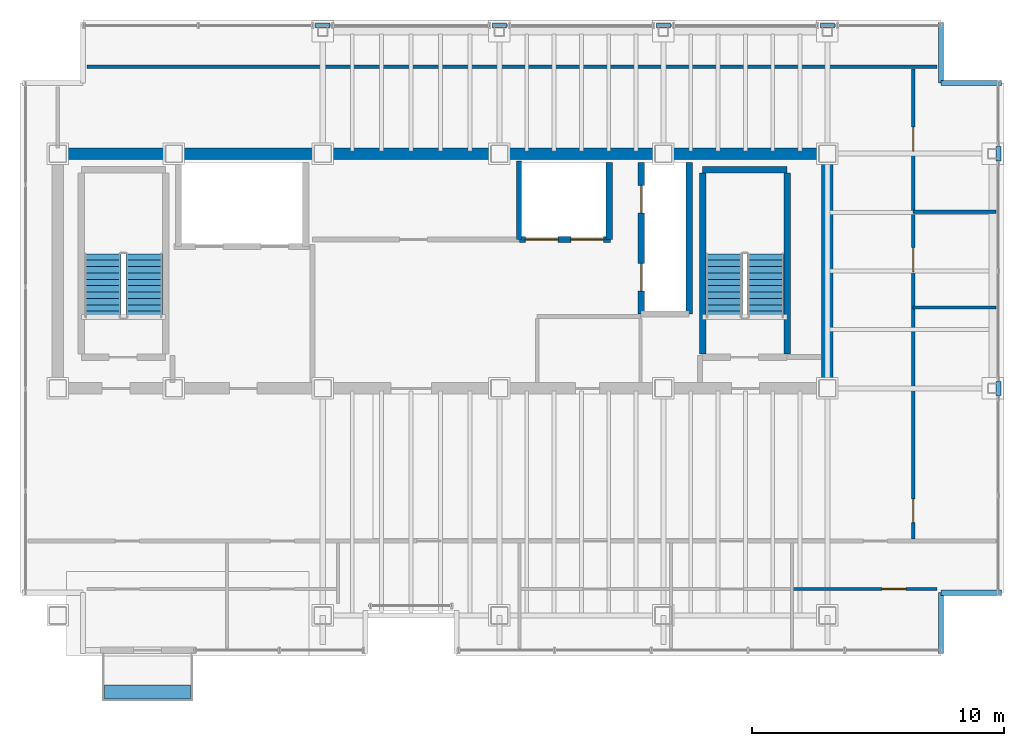
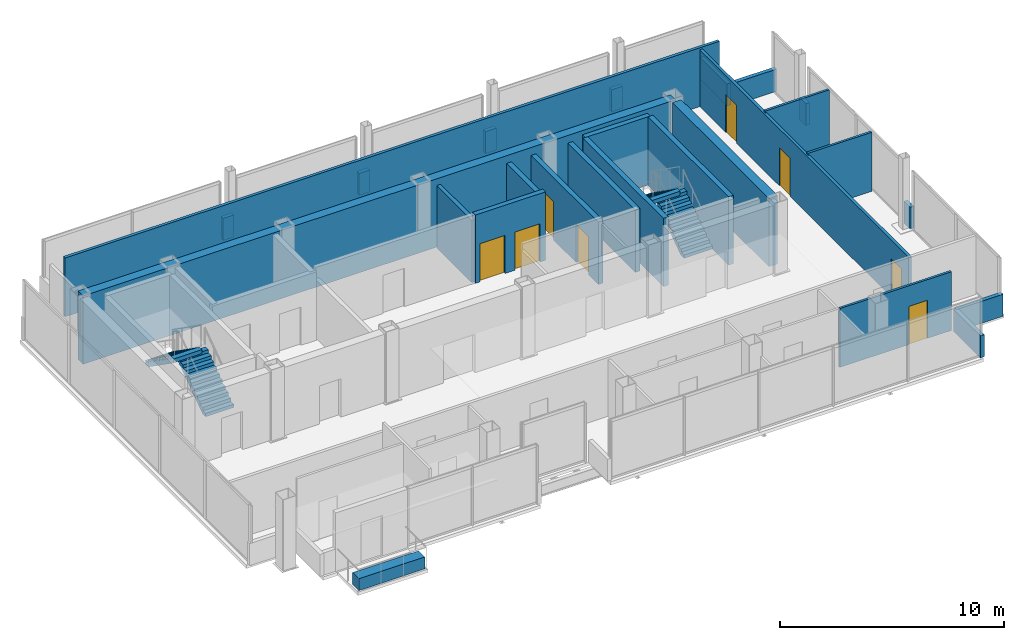
# One storey, part 16 of 17: 25 walls, 8 doors, 4 stair flights, 1 discrete accessory, 8 openings, 2 elements without a shape of their own.
"""IFC4 building model written with IfcOpenShell, lengths in metres."""

from ifc_helpers import new_model, si_unit, direction, frame, frame_2d, origin, origin_2d, place, context, subcontext, project, spatial, polyline, rectangle, outline, extrude, material, layer, layer_set, type_object, element, fill, aggregate, save


model = new_model("IFC4")

# Units and contexts
model_context = context("Model", 3, precision=1e-05, world=origin(), true_north=direction((0.0, 1.0)))
body_context = subcontext(model_context, "Body", "Model", "MODEL_VIEW")
ifc_project = project(units=[si_unit("LENGTHUNIT", "METRE"), si_unit("AREAUNIT", "SQUARE_METRE"), si_unit("VOLUMEUNIT", "CUBIC_METRE"), si_unit("PLANEANGLEUNIT", "RADIAN"), si_unit("MASSUNIT", "GRAM", prefix="KILO")], contexts=[model_context])

# Site, building, storey
site_placement = place(None, origin())
site = spatial("IfcSite", under=ifc_project, at=site_placement, CompositionType="ELEMENT")
building_placement = place(site_placement, origin())
building = spatial("IfcBuilding", under=site, at=building_placement, Name="Noeulbin Bourse Tower", CompositionType="ELEMENT")
storey_placement = place(building_placement, frame((0.0, 0.0, 296.89990234375)))
storey = spatial("IfcBuildingStorey", under=building, at=storey_placement, Name="L74", CompositionType="ELEMENT", Elevation=296.89990234375)

# Walls
ifc_material_1 = material(Name="Concrete C50/60", Category="concrete")
ifc_layer_1 = layer(ifc_material_1, 0.449951171875)
ifc_layer_set_1 = layer_set([ifc_layer_1], Name="Concrete C50/60")
wall_type_1 = type_object("IfcWallType", Name="WAL-CORE-450", PredefinedType="SHEAR", material=ifc_layer_set_1)
wall_1_placement = place(storey_placement, frame((13.5, 38.300048828125, 0.0), z_axis=(0.0, 0.0, 1.0), x_axis=(1.0, 0.0, 0.0)))
element("IfcWall", 1, at=wall_1_placement, inside=storey, type_object=wall_type_1, Name="Rear Core North Shear Wall L74", PredefinedType="SHEAR", context=body_context, shape_type="SweptSolid", body=[
    extrude(rectangle(XDim=30.5, YDim=0.449951171875, at=frame_2d((15.25, 0.0))), origin(), (0.0, 0.0, 1.0), 3.72021484375),
])
wall_2_placement = place(storey_placement, frame((44.0, 29.35009765625, 0.0), z_axis=(0.0, 0.0, 1.0), x_axis=(0.0, 1.0, 0.0)))
element("IfcWall", 2, at=wall_2_placement, inside=storey, type_object=wall_type_1, Name="Rear Core East Shear Wall L74", PredefinedType="SHEAR", context=body_context, shape_type="SweptSolid", body=[
    extrude(rectangle(XDim=8.599853515625, YDim=0.449951171875, at=frame_2d((4.2998046875, 0.0))), origin(), (0.0, 0.0, 1.0), 3.72021484375),
])
ifc_material_2 = material(Name="Concrete C40/50", Category="concrete")
ifc_layer_2 = layer(ifc_material_2, 0.199951171875)
ifc_layer_set_2 = layer_set([ifc_layer_2], Name="Concrete C40/50")
wall_type_2 = type_object("IfcWallType", Name="WAL-PAR-200", PredefinedType="PARAPET", material=ifc_layer_set_2)
for number, where, z_axis, x_axis, name in (
    (3, (23.719970703125, 43.3798828125, 0.0), (0.0, 0.0, 1.0), (1.0, 0.0, 0.0), "Perimeter Pier Spandrel Parapet L74-N1"),
    (4, (30.719970703125, 43.3798828125, 0.0), (0.0, 0.0, 1.0), (1.0, 0.0, 0.0), "Perimeter Pier Spandrel Parapet L74-N2"),
    (5, (37.219970703125, 43.3798828125, 0.0), (0.0, 0.0, 1.0), (1.0, 0.0, 0.0), "Perimeter Pier Spandrel Parapet L74-N3"),
    (6, (43.719970703125, 43.3798828125, 0.0), (0.0, 0.0, 1.0), (1.0, 0.0, 0.0), "Perimeter Pier Spandrel Parapet L74-N4"),
    (7, (50.780029296875, 28.719970703125, 0.0), (0.0, 0.0, 1.0), (0.0, 1.0, 0.0), "Perimeter Pier Spandrel Parapet L74-E5"),
    (8, (50.780029296875, 38.02001953125, 0.0), (0.0, 0.0, 1.0), (0.0, 1.0, 0.0), "Perimeter Pier Spandrel Parapet L74-E6"),
):
    element("IfcWall", number, at=place(storey_placement, frame(where, z_axis=z_axis, x_axis=x_axis)), inside=storey, type_object=wall_type_2, Name=name, PredefinedType="PARAPET", context=body_context, shape_type="SweptSolid", body=[
        extrude(rectangle(XDim=0.56005859375, YDim=0.199951171875, at=frame_2d((0.280029296875, 0.0))), origin(), (0.0, 0.0, 1.0), 1.2001953125),
    ])
for number, where, z_axis, x_axis, name in (
    (9, (48.5, 18.5, 0.0), (0.0, 0.0, 1.0), (0.0, 1.0, 0.0), "Corner Notch Parapet L74-SE1"),
    (10, (48.5, 20.89990234375, 0.0), (0.0, 0.0, 1.0), (1.0, 0.0, 0.0), "Corner Notch Parapet L74-SE2"),
    (11, (48.5, 43.5, 0.0), (0.0, 0.0, 1.0), (0.0, -1.0, 0.0), "Corner Notch Parapet L74-NE1"),
    (12, (48.5, 41.10009765625, 0.0), (0.0, 0.0, 1.0), (1.0, 0.0, 0.0), "Corner Notch Parapet L74-NE2"),
):
    element("IfcWall", number, at=place(storey_placement, frame(where, z_axis=z_axis, x_axis=x_axis)), inside=storey, type_object=wall_type_2, Name=name, PredefinedType="PARAPET", context=body_context, shape_type="SweptSolid", body=[
        extrude(rectangle(XDim=2.39990234375, YDim=0.199951171875, at=frame_2d((1.199951171875, 0.0))), origin(), (0.0, 0.0, 1.0), 1.2001953125),
    ])

# Wall, opening, door
ifc_material_3 = material(Name="Steel Stud Gypsum Partition", Category="steel")
ifc_layer_3 = layer(ifc_material_3, 0.1201171875)
ifc_layer_set_3 = layer_set([ifc_layer_3], Name="Steel Stud Gypsum Partition")
wall_type_3 = type_object("IfcWallType", Name="WAL-PRT-120", PredefinedType="PARTITIONING", material=ifc_layer_set_3)
wall_3_placement = place(storey_placement, frame((42.60009765625, 21.050048828125, 0.0), z_axis=(0.0, 0.0, 1.0), x_axis=(1.0, 0.0, 0.0)))
wall_3 = element("IfcWall", 13, at=wall_3_placement, inside=storey, type_object=wall_type_3, Name="Interior Partition Wall L74-09", PredefinedType="PARTITIONING", context=body_context, shape_type="SweptSolid", body=[
    extrude(rectangle(XDim=5.739990234375, YDim=0.1201171875, at=frame_2d((2.8701171875, 0.0))), origin(), (0.0, 0.0, 1.0), 3.2001953125),
])
opening_1_placement = place(wall_3_placement, frame((3.570068359375, 0.0, 0.0)))
opening_1 = element("IfcOpeningElement", 14, at=opening_1_placement, cuts=wall_3, Name="Opening ID-09", PredefinedType="OPENING", context=body_context, shape_type="SweptSolid", body=[
    extrude(rectangle(XDim=0.949951171875, YDim=2.080078125, at=frame_2d((0.47509765625, 1.0400390625))), frame((0.0, 0.070068359375, 0.0), z_axis=(0.0, -1.0, 0.0), x_axis=(1.0, 0.0, 0.0)), (0.0, 0.0, 1.0), 0.14013671875),
])
ifc_material_4 = material(Name="Acoustic Solid-Core Timber", Category="wood")
door_type_1 = type_object("IfcDoorType", Name="DR-SINGLE-950", OperationType="SINGLE_SWING_LEFT", PredefinedType="DOOR", material=ifc_material_4)
door_1_placement = place(opening_1_placement, origin())
door_1 = element("IfcDoor", 15, at=door_1_placement, inside=storey, type_object=door_type_1, Name="Interior Door L74-16", OperationType="SINGLE_SWING_LEFT", OverallHeight=2.080078125, OverallWidth=0.949951171875, PredefinedType="DOOR", context=body_context, shape_type="SweptSolid", body=[
    extrude(rectangle(XDim=0.949951171875, YDim=2.080078125, at=frame_2d((0.47509765625, 1.0400390625))), frame((0.0, 0.02490234375, 0.0), z_axis=(0.0, -1.0, 0.0), x_axis=(1.0, 0.0, 0.0)), (0.0, 0.0, 1.0), 0.050048828125),
])
fill(opening_1, door_1)

# Walls
for number, where, z_axis, x_axis, name in (
    (16, (47.39990234375, 32.199951171875, 0.0), (0.0, 0.0, 1.0), (1.0, 0.0, 0.0), "Interior Partition Wall L74-10"),
    (17, (47.39990234375, 36.0, 0.0), (0.0, 0.0, 1.0), (1.0, 0.0, 0.0), "Interior Partition Wall L74-11"),
):
    element("IfcWall", number, at=place(storey_placement, frame(where, z_axis=z_axis, x_axis=x_axis)), inside=storey, type_object=wall_type_3, Name=name, PredefinedType="PARTITIONING", context=body_context, shape_type="SweptSolid", body=[
        extrude(rectangle(XDim=3.2900390625, YDim=0.1201171875, at=frame_2d((1.64501953125, 0.0))), origin(), (0.0, 0.0, 1.0), 3.212158203125),
    ])
ifc_material_5 = material(Name="Steel Stud Acoustic Gypsum Board", Category="steel")
ifc_layer_4 = layer(ifc_material_5, 0.14990234375)
ifc_layer_set_4 = layer_set([ifc_layer_4], Name="Steel Stud Acoustic Gypsum Board")
wall_type_4 = type_object("IfcWallType", Name="WAL-PRT-150", PredefinedType="PARTITIONING", material=ifc_layer_set_4)
wall_4_placement = place(storey_placement, frame((14.659912109375, 41.75, 0.0), z_axis=(0.0, 0.0, 1.0), x_axis=(1.0, 0.0, 0.0)))
element("IfcWall", 18, at=wall_4_placement, inside=storey, type_object=wall_type_4, Name="Interior Partition Wall L74-12", PredefinedType="PARTITIONING", context=body_context, shape_type="SweptSolid", body=[
    extrude(rectangle(XDim=33.68017578125, YDim=0.14990234375, at=frame_2d((16.840087890625, 0.0))), origin(), (0.0, 0.0, 1.0), 3.2001953125),
])

# Wall, openings, doors
wall_5_placement = place(storey_placement, frame((47.39990234375, 23.034912109375, 0.0), z_axis=(0.0, 0.0, 1.0), x_axis=(0.0, 1.0, 0.0)))
wall_5 = element("IfcWall", 19, at=wall_5_placement, inside=storey, type_object=wall_type_4, Name="Interior Partition Wall L74-18", PredefinedType="PARTITIONING", context=body_context, shape_type="SweptSolid", body=[
    extrude(rectangle(XDim=18.630126953125, YDim=0.14990234375, at=frame_2d((9.31494140625, 0.0))), origin(), (0.0, 0.0, 1.0), 3.10009765625),
])
opening_2_placement = place(wall_5_placement, frame((0.639892578125, 0.0, 0.0)))
opening_2 = element("IfcOpeningElement", 20, at=opening_2_placement, cuts=wall_5, Name="Opening ID-09", PredefinedType="OPENING", context=body_context, shape_type="SweptSolid", body=[
    extrude(rectangle(XDim=0.949951171875, YDim=2.080078125, at=frame_2d((0.47509765625, 1.0400390625))), frame((0.0, 0.0849609375, 0.0), z_axis=(0.0, -1.0, 0.0), x_axis=(1.0, 0.0, 0.0)), (0.0, 0.0, 1.0), 0.169921875),
])
opening_3_placement = place(wall_5_placement, frame((10.590087890625, 0.0, 0.0)))
opening_3 = element("IfcOpeningElement", 21, at=opening_3_placement, cuts=wall_5, Name="Opening ID-09", PredefinedType="OPENING", context=body_context, shape_type="SweptSolid", body=[
    extrude(rectangle(XDim=0.949951171875, YDim=2.080078125, at=frame_2d((0.47509765625, 1.0400390625))), frame((0.0, 0.0849609375, 0.0), z_axis=(0.0, -1.0, 0.0), x_axis=(1.0, 0.0, 0.0)), (0.0, 0.0, 1.0), 0.169921875),
])
opening_4_placement = place(wall_5_placement, frame((15.364990234375, 0.0, 0.0)))
opening_4 = element("IfcOpeningElement", 22, at=opening_4_placement, cuts=wall_5, Name="Opening ID-09", PredefinedType="OPENING", context=body_context, shape_type="SweptSolid", body=[
    extrude(rectangle(XDim=0.949951171875, YDim=2.080078125, at=frame_2d((0.47509765625, 1.0400390625))), frame((0.0, 0.0849609375, 0.0), z_axis=(0.0, -1.0, 0.0), x_axis=(1.0, 0.0, 0.0)), (0.0, 0.0, 1.0), 0.169921875),
])
door_2_placement = place(opening_2_placement, origin())
door_2 = element("IfcDoor", 23, at=door_2_placement, inside=storey, type_object=door_type_1, Name="Interior Door L74-18", OperationType="SINGLE_SWING_LEFT", OverallHeight=2.080078125, OverallWidth=0.949951171875, PredefinedType="DOOR", context=body_context, shape_type="SweptSolid", body=[
    extrude(rectangle(XDim=0.949951171875, YDim=2.080078125, at=frame_2d((0.47509765625, 1.0400390625))), frame((0.0, 0.02490234375, 0.0), z_axis=(0.0, -1.0, 0.0), x_axis=(1.0, 0.0, 0.0)), (0.0, 0.0, 1.0), 0.050048828125),
])
fill(opening_2, door_2)
door_3_placement = place(opening_3_placement, origin())
door_3 = element("IfcDoor", 24, at=door_3_placement, inside=storey, type_object=door_type_1, Name="Interior Door L74-19", OperationType="SINGLE_SWING_RIGHT", OverallHeight=2.080078125, OverallWidth=0.949951171875, PredefinedType="DOOR", context=body_context, shape_type="SweptSolid", body=[
    extrude(rectangle(XDim=0.949951171875, YDim=2.080078125, at=frame_2d((0.47509765625, 1.0400390625))), frame((0.0, 0.02490234375, 0.0), z_axis=(0.0, -1.0, 0.0), x_axis=(1.0, 0.0, 0.0)), (0.0, 0.0, 1.0), 0.050048828125),
])
fill(opening_3, door_3)
door_4_placement = place(opening_4_placement, origin())
door_4 = element("IfcDoor", 25, at=door_4_placement, inside=storey, type_object=door_type_1, Name="Interior Door L74-20", OperationType="SINGLE_SWING_LEFT", OverallHeight=2.080078125, OverallWidth=0.949951171875, PredefinedType="DOOR", context=body_context, shape_type="SweptSolid", body=[
    extrude(rectangle(XDim=0.949951171875, YDim=2.080078125, at=frame_2d((0.47509765625, 1.0400390625))), frame((0.0, 0.02490234375, 0.0), z_axis=(0.0, -1.0, 0.0), x_axis=(1.0, 0.0, 0.0)), (0.0, 0.0, 1.0), 0.050048828125),
])
fill(opening_4, door_4)

# Walls
ifc_layer_5 = layer(ifc_material_2, 0.25)
ifc_layer_set_5 = layer_set([ifc_layer_5], Name="Concrete C40/50")
wall_type_5 = type_object("IfcWallType", Name="WAL-SHFT-250", PredefinedType="STANDARD", material=ifc_layer_set_5)
wall_6_placement = place(storey_placement, frame((39.06005859375, 37.6689453125, 0.0), z_axis=(0.0, 0.0, 1.0), x_axis=(1.0, 0.0, 0.0)))
element("IfcWall", 26, at=wall_6_placement, inside=storey, type_object=wall_type_5, Name="Stair ST-2 North Shaft Wall L74", PredefinedType="STANDARD", context=body_context, shape_type="SweptSolid", body=[
    extrude(rectangle(XDim=3.33984375, YDim=0.25, at=frame_2d((1.669921875, 0.0))), origin(), (0.0, 0.0, 1.0), 3.72021484375),
])
for number, where, z_axis, x_axis, name in (
    (27, (39.054931640625, 30.360107421875, 0.0), (0.0, 0.0, 1.0), (0.0, 1.0, 0.0), "Stair ST-2 West Shaft Wall L74"),
    (28, (42.405029296875, 30.360107421875, 0.0), (0.0, 0.0, 1.0), (0.0, 1.0, 0.0), "Stair ST-2 East Shaft Wall L74"),
):
    element("IfcWall", number, at=place(storey_placement, frame(where, z_axis=z_axis, x_axis=x_axis)), inside=storey, type_object=wall_type_5, Name=name, PredefinedType="STANDARD", context=body_context, shape_type="SweptSolid", body=[
        extrude(rectangle(XDim=7.183837890625, YDim=0.25, at=frame_2d((3.591796875, 0.0))), origin(), (0.0, 0.0, 1.0), 3.72021484375),
    ])

# Wall, openings, doors
wall_7_placement = place(storey_placement, frame((36.6201171875, 31.949951171875, 0.0), z_axis=(0.0, 0.0, 1.0), x_axis=(0.0, 1.0, 0.0)))
wall_7 = element("IfcWall", 29, at=wall_7_placement, inside=storey, type_object=wall_type_5, Name="Service Lift Shaft Wall L74", PredefinedType="STANDARD", context=body_context, shape_type="SweptSolid", body=[
    extrude(rectangle(XDim=6.0, YDim=0.25, at=frame_2d((3.0, 0.0))), origin(), (0.0, 0.0, 1.0), 3.400146484375),
])
opening_5_placement = place(wall_7_placement, frame((0.89990234375, 0.0, 0.0)))
opening_5 = element("IfcOpeningElement", 30, at=opening_5_placement, cuts=wall_7, Name="Opening LD-11", PredefinedType="OPENING", context=body_context, shape_type="SweptSolid", body=[
    extrude(rectangle(XDim=1.10009765625, YDim=2.080078125, at=frame_2d((0.550048828125, 1.0400390625))), frame((0.0, 0.135009765625, 0.0), z_axis=(0.0, -1.0, 0.0), x_axis=(1.0, 0.0, 0.0)), (0.0, 0.0, 1.0), 0.27001953125),
])
opening_6_placement = place(wall_7_placement, frame((4.0, 0.0, 0.0)))
opening_6 = element("IfcOpeningElement", 31, at=opening_6_placement, cuts=wall_7, Name="Opening LD-11", PredefinedType="OPENING", context=body_context, shape_type="SweptSolid", body=[
    extrude(rectangle(XDim=1.10009765625, YDim=2.080078125, at=frame_2d((0.550048828125, 1.0400390625))), frame((0.0, 0.135009765625, 0.0), z_axis=(0.0, -1.0, 0.0), x_axis=(1.0, 0.0, 0.0)), (0.0, 0.0, 1.0), 0.27001953125),
])
ifc_material_6 = material(Name="Brushed Stainless Steel 316", Category="steel")
door_type_2 = type_object("IfcDoorType", Name="DR-LIFT-1100", OperationType="SLIDING_TO_LEFT", PredefinedType="DOOR", material=ifc_material_6)
door_5_placement = place(opening_5_placement, origin())
door_5 = element("IfcDoor", 32, at=door_5_placement, inside=storey, type_object=door_type_2, Name="Lift Landing Door LD-EL-01-L74", OperationType="SLIDING_TO_LEFT", OverallHeight=2.080078125, OverallWidth=1.10009765625, PredefinedType="DOOR", context=body_context, shape_type="SweptSolid", body=[
    extrude(rectangle(XDim=1.10009765625, YDim=2.080078125, at=frame_2d((0.550048828125, 1.0400390625))), frame((0.0, 0.02490234375, 0.0), z_axis=(0.0, -1.0, 0.0), x_axis=(1.0, 0.0, 0.0)), (0.0, 0.0, 1.0), 0.050048828125),
])
fill(opening_5, door_5)
door_6_placement = place(opening_6_placement, origin())
door_6 = element("IfcDoor", 33, at=door_6_placement, inside=storey, type_object=door_type_2, Name="Lift Landing Door LD-SV-01-L74", OperationType="SLIDING_TO_LEFT", OverallHeight=2.080078125, OverallWidth=1.10009765625, PredefinedType="DOOR", context=body_context, shape_type="SweptSolid", body=[
    extrude(rectangle(XDim=1.10009765625, YDim=2.080078125, at=frame_2d((0.550048828125, 1.0400390625))), frame((0.0, 0.02490234375, 0.0), z_axis=(0.0, -1.0, 0.0), x_axis=(1.0, 0.0, 0.0)), (0.0, 0.0, 1.0), 0.050048828125),
])
fill(opening_6, door_6)

# Walls
wall_8_placement = place(storey_placement, frame((38.52001953125, 31.949951171875, 0.0), z_axis=(0.0, 0.0, 1.0), x_axis=(0.0, 1.0, 0.0)))
element("IfcWall", 34, at=wall_8_placement, inside=storey, type_object=wall_type_5, Name="Service Lift East Shaft Wall L74", PredefinedType="STANDARD", context=body_context, shape_type="SweptSolid", body=[
    extrude(rectangle(XDim=6.0, YDim=0.25, at=frame_2d((3.0, 0.0))), origin(), (0.0, 0.0, 1.0), 3.400146484375),
])
wall_9_placement = place(storey_placement, frame((35.360107421875, 34.89990234375, 0.0), z_axis=(0.0, 0.0, 1.0), x_axis=(0.0, 1.0, 0.0)))
element("IfcWall", 35, at=wall_9_placement, inside=storey, type_object=wall_type_5, Name="High-Rise Lift East Shaft Wall L74", PredefinedType="STANDARD", context=body_context, shape_type="SweptSolid", body=[
    extrude(rectangle(XDim=3.050048828125, YDim=0.25, at=frame_2d((1.52490234375, 0.0))), origin(), (0.0, 0.0, 1.0), 3.400146484375),
])

# Wall, openings, doors
wall_10_placement = place(storey_placement, frame((31.800048828125, 34.89990234375, 0.0), z_axis=(0.0, 0.0, 1.0), x_axis=(1.0, 0.0, 0.0)))
wall_10 = element("IfcWall", 36, at=wall_10_placement, inside=storey, type_object=wall_type_5, Name="High-Rise Lift Bank Front L74", PredefinedType="STANDARD", context=body_context, shape_type="SweptSolid", body=[
    extrude(rectangle(XDim=3.599853515625, YDim=0.25, at=frame_2d((1.7998046875, 0.0))), origin(), (0.0, 0.0, 1.0), 3.72021484375),
])
opening_7_placement = place(wall_10_placement, frame((0.22998046875, 0.0, 0.0)))
opening_7 = element("IfcOpeningElement", 37, at=opening_7_placement, cuts=wall_10, Name="Opening LD-13", PredefinedType="OPENING", context=body_context, shape_type="SweptSolid", body=[
    extrude(rectangle(XDim=1.300048828125, YDim=2.080078125, at=frame_2d((0.64990234375, 1.0400390625))), frame((0.0, 0.135009765625, 0.0), z_axis=(0.0, -1.0, 0.0), x_axis=(1.0, 0.0, 0.0)), (0.0, 0.0, 1.0), 0.27001953125),
])
opening_8_placement = place(wall_10_placement, frame((2.030029296875, 0.0, 0.0)))
opening_8 = element("IfcOpeningElement", 38, at=opening_8_placement, cuts=wall_10, Name="Opening LD-13", PredefinedType="OPENING", context=body_context, shape_type="SweptSolid", body=[
    extrude(rectangle(XDim=1.300048828125, YDim=2.080078125, at=frame_2d((0.64990234375, 1.0400390625))), frame((0.0, 0.135009765625, 0.0), z_axis=(0.0, -1.0, 0.0), x_axis=(1.0, 0.0, 0.0)), (0.0, 0.0, 1.0), 0.27001953125),
])
door_type_3 = type_object("IfcDoorType", Name="DR-LIFT-1300", OperationType="DOUBLE_DOOR_SLIDING", PredefinedType="DOOR", material=ifc_material_6)
door_7_placement = place(opening_7_placement, origin())
door_7 = element("IfcDoor", 39, at=door_7_placement, inside=storey, type_object=door_type_3, Name="Lift Landing Door LD-PL-H1-L74", OperationType="DOUBLE_DOOR_SLIDING", OverallHeight=2.080078125, OverallWidth=1.300048828125, PredefinedType="DOOR", context=body_context, shape_type="SweptSolid", body=[
    extrude(rectangle(XDim=1.300048828125, YDim=2.080078125, at=frame_2d((0.64990234375, 1.0400390625))), frame((0.0, 0.02490234375, 0.0), z_axis=(0.0, -1.0, 0.0), x_axis=(1.0, 0.0, 0.0)), (0.0, 0.0, 1.0), 0.050048828125),
])
fill(opening_7, door_7)
door_8_placement = place(opening_8_placement, origin())
door_8 = element("IfcDoor", 40, at=door_8_placement, inside=storey, type_object=door_type_3, Name="Lift Landing Door LD-PL-H2-L74", OperationType="DOUBLE_DOOR_SLIDING", OverallHeight=2.080078125, OverallWidth=1.300048828125, PredefinedType="DOOR", context=body_context, shape_type="SweptSolid", body=[
    extrude(rectangle(XDim=1.300048828125, YDim=2.080078125, at=frame_2d((0.64990234375, 1.0400390625))), frame((0.0, 0.02490234375, 0.0), z_axis=(0.0, -1.0, 0.0), x_axis=(1.0, 0.0, 0.0)), (0.0, 0.0, 1.0), 0.050048828125),
])
fill(opening_8, door_8)

# Wall
wall_11_placement = place(storey_placement, frame((31.780029296875, 34.89990234375, 0.0), z_axis=(0.0, 0.0, 1.0), x_axis=(0.0, 1.0, 0.0)))
element("IfcWall", 41, at=wall_11_placement, inside=storey, type_object=wall_type_5, Name="Hoistway Side Shaft Wall L74-PLHW", PredefinedType="STANDARD", context=body_context, shape_type="SweptSolid", body=[
    extrude(rectangle(XDim=3.1201171875, YDim=0.199951171875, at=frame_2d((1.56005859375, 0.0))), origin(), (0.0, 0.0, 1.0), 3.400146484375),
])

# Stair, stair flights
stair_type = type_object("IfcStairType", Name="STR-CORE-1560", PredefinedType="HALF_TURN_STAIR", material=ifc_material_2)
stair_1_placement = place(storey_placement, origin())
stair_1 = element("IfcStair", 42, at=stair_1_placement, inside=storey, type_object=stair_type, Name="L74 ST-1", PredefinedType="HALF_TURN_STAIR")
stair_flight_type = type_object("IfcStairFlightType", Name="SFL-CORE-1560", PredefinedType="STRAIGHT", material=ifc_material_2)
stair_flight_1_placement = place(storey_placement, frame((16.925048828125, 31.81005859375, 0.0), z_axis=(0.0, 0.0, 1.0), x_axis=(0.0, 1.0, 0.0)))
stair_flight_1 = element("IfcStairFlight", 43, at=stair_flight_1_placement, type_object=stair_flight_type, Name="ST-1 flight 1", NumberOfRisers=11, NumberOfTreads=10, PredefinedType="STRAIGHT", RiserHeight=0.177272727, TreadLength=0.252, context=body_context, shape_type="SweptSolid", body=[
    extrude(outline(polyline([(0.0, 0.0), (0.0, 0.17724609375), (0.251953125, 0.17724609375), (0.251953125, 0.3544921875), (0.50390625, 0.3544921875), (0.50390625, 0.53173828125), (0.756103515625, 0.53173828125), (0.756103515625, 0.708984375), (1.008056640625, 0.708984375), (1.008056640625, 0.886474609375), (1.260009765625, 0.886474609375), (1.260009765625, 1.063720703125), (1.511962890625, 1.063720703125), (1.511962890625, 1.240966796875), (1.763916015625, 1.240966796875), (1.763916015625, 1.418212890625), (2.01611328125, 1.418212890625), (2.01611328125, 1.595458984375), (2.26806640625, 1.595458984375), (2.26806640625, 1.772705078125), (2.52001953125, 1.772705078125), (2.52001953125, 1.949951171875), (2.52001953125, 1.552734375), (0.312744140625, 0.0), (0.0, 0.0)])), frame((0.0, 0.72509765625, 0.0), z_axis=(0.0, -1.0, 0.0), x_axis=(1.0, 0.0, 0.0)), (0.0, 0.0, 1.0), 1.449951171875),
])
stair_flight_2_placement = place(storey_placement, frame((15.27490234375, 34.330078125, 1.9501953125), z_axis=(0.0, 0.0, 1.0), x_axis=(0.0, -1.0, 0.0)))
stair_flight_2 = element("IfcStairFlight", 44, at=stair_flight_2_placement, type_object=stair_flight_type, Name="ST-1 flight 2", NumberOfRisers=11, NumberOfTreads=10, PredefinedType="STRAIGHT", RiserHeight=0.177272727, TreadLength=0.252, context=body_context, shape_type="SweptSolid", body=[
    extrude(outline(polyline([(0.0, 0.0), (0.0, 0.17724609375), (0.251953125, 0.17724609375), (0.251953125, 0.3544921875), (0.50390625, 0.3544921875), (0.50390625, 0.53173828125), (0.756103515625, 0.53173828125), (0.756103515625, 0.708984375), (1.008056640625, 0.708984375), (1.008056640625, 0.886474609375), (1.260009765625, 0.886474609375), (1.260009765625, 1.063720703125), (1.511962890625, 1.063720703125), (1.511962890625, 1.240966796875), (1.763916015625, 1.240966796875), (1.763916015625, 1.418212890625), (2.01611328125, 1.418212890625), (2.01611328125, 1.595458984375), (2.26806640625, 1.595458984375), (2.26806640625, 1.772705078125), (2.52001953125, 1.772705078125), (2.52001953125, 1.949951171875), (2.52001953125, 1.552734375), (0.312744140625, 0.0), (0.0, 0.0)])), frame((0.0, 0.72509765625, 0.0), z_axis=(0.0, -1.0, 0.0), x_axis=(1.0, 0.0, 0.0)), (0.0, 0.0, 1.0), 1.449951171875),
])
aggregate(stair_1, [stair_flight_1, stair_flight_2])

stair_2_placement = place(storey_placement, origin())
stair_2 = element("IfcStair", 45, at=stair_2_placement, inside=storey, type_object=stair_type, Name="L74 ST-2", PredefinedType="HALF_TURN_STAIR")
stair_flight_3_placement = place(storey_placement, frame((41.554931640625, 31.81005859375, 0.0), z_axis=(0.0, 0.0, 1.0), x_axis=(0.0, 1.0, 0.0)))
stair_flight_3 = element("IfcStairFlight", 46, at=stair_flight_3_placement, type_object=stair_flight_type, Name="ST-2 flight 1", NumberOfRisers=11, NumberOfTreads=10, PredefinedType="STRAIGHT", RiserHeight=0.177272727, TreadLength=0.252, context=body_context, shape_type="SweptSolid", body=[
    extrude(outline(polyline([(0.0, 0.0), (0.0, 0.17724609375), (0.251953125, 0.17724609375), (0.251953125, 0.3544921875), (0.50390625, 0.3544921875), (0.50390625, 0.53173828125), (0.756103515625, 0.53173828125), (0.756103515625, 0.708984375), (1.008056640625, 0.708984375), (1.008056640625, 0.886474609375), (1.260009765625, 0.886474609375), (1.260009765625, 1.063720703125), (1.511962890625, 1.063720703125), (1.511962890625, 1.240966796875), (1.763916015625, 1.240966796875), (1.763916015625, 1.418212890625), (2.01611328125, 1.418212890625), (2.01611328125, 1.595458984375), (2.26806640625, 1.595458984375), (2.26806640625, 1.772705078125), (2.52001953125, 1.772705078125), (2.52001953125, 1.949951171875), (2.52001953125, 1.552734375), (0.312744140625, 0.0), (0.0, 0.0)])), frame((0.0, 0.72509765625, 0.0), z_axis=(0.0, -1.0, 0.0), x_axis=(1.0, 0.0, 0.0)), (0.0, 0.0, 1.0), 1.449951171875),
])
stair_flight_4_placement = place(storey_placement, frame((39.905029296875, 34.330078125, 1.9501953125), z_axis=(0.0, 0.0, 1.0), x_axis=(0.0, -1.0, 0.0)))
stair_flight_4 = element("IfcStairFlight", 47, at=stair_flight_4_placement, type_object=stair_flight_type, Name="ST-2 flight 2", NumberOfRisers=11, NumberOfTreads=10, PredefinedType="STRAIGHT", RiserHeight=0.177272727, TreadLength=0.252, context=body_context, shape_type="SweptSolid", body=[
    extrude(outline(polyline([(0.0, 0.0), (0.0, 0.17724609375), (0.251953125, 0.17724609375), (0.251953125, 0.3544921875), (0.50390625, 0.3544921875), (0.50390625, 0.53173828125), (0.756103515625, 0.53173828125), (0.756103515625, 0.708984375), (1.008056640625, 0.708984375), (1.008056640625, 0.886474609375), (1.260009765625, 0.886474609375), (1.260009765625, 1.063720703125), (1.511962890625, 1.063720703125), (1.511962890625, 1.240966796875), (1.763916015625, 1.240966796875), (1.763916015625, 1.418212890625), (2.01611328125, 1.418212890625), (2.01611328125, 1.595458984375), (2.26806640625, 1.595458984375), (2.26806640625, 1.772705078125), (2.52001953125, 1.772705078125), (2.52001953125, 1.949951171875), (2.52001953125, 1.552734375), (0.312744140625, 0.0), (0.0, 0.0)])), frame((0.0, 0.72509765625, 0.0), z_axis=(0.0, -1.0, 0.0), x_axis=(1.0, 0.0, 0.0)), (0.0, 0.0, 1.0), 1.449951171875),
])
aggregate(stair_2, [stair_flight_3, stair_flight_4])

# Discrete accessory
ifc_material_7 = material(Name="Architectural GFRC Concrete C40/50", Category="concrete")
ifc_layer_6 = layer(ifc_material_7, 0.64990234375)
ifc_layer_set_6 = layer_set([ifc_layer_6], Name="Architectural GFRC Concrete C40/50")
discrete_accessory_type = type_object("IfcDiscreteAccessoryType", Name="PLANTER-BOX-3600", PredefinedType="USERDEFINED", material=ifc_layer_set_6)
discrete_accessory_placement = place(storey_placement, frame((17.050048828125, 16.9599609375, 0.000244140625), z_axis=(0.0, 0.0, 1.0), x_axis=(1.0, 0.0, 0.0)))
element("IfcDiscreteAccessory", 48, at=discrete_accessory_placement, inside=storey, type_object=discrete_accessory_type, Name="Integrated Balcony Tree Planter Box L74", ObjectType="PLANTER", PredefinedType="USERDEFINED", context=body_context, shape_type="SweptSolid", body=[
    extrude(rectangle(XDim=3.39990234375, YDim=0.550048828125, at=origin_2d()), origin(), (0.0, 0.0, 1.0), 0.64990234375),
])

save(model, "model.ifc")
